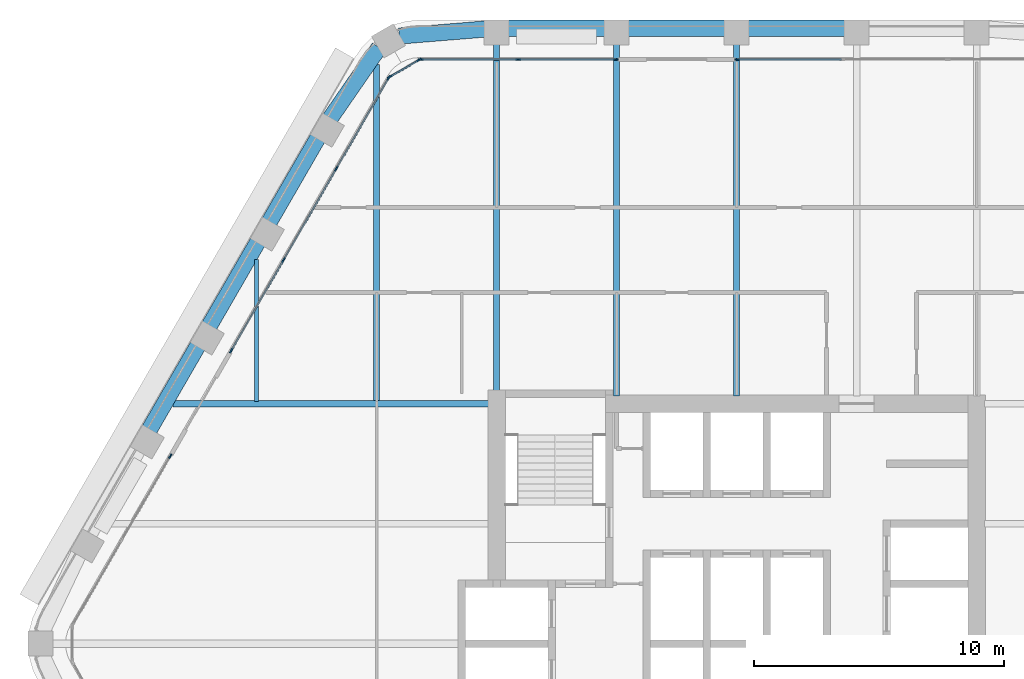
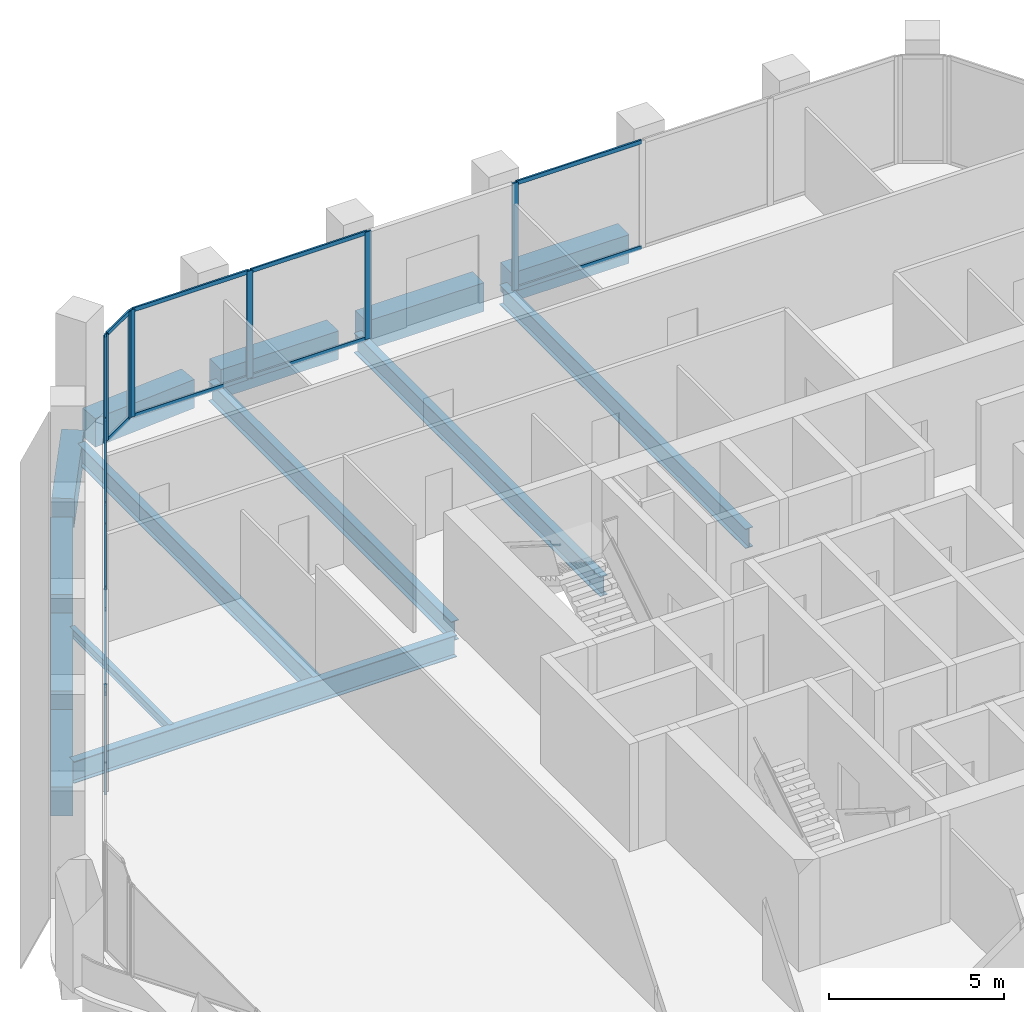
# One storey, part 5 of 15: 25 members, 14 beams, 5 elements without a shape of their own.
"""IFC4 building model written with IfcOpenShell, lengths in metres."""

from ifc_helpers import new_model, si_unit, direction, frame, origin, origin_2d, place, context, subcontext, project, spatial, rectangle, i_section, extrude, material, material_profile, profile_set, type_object, element, aggregate, save


model = new_model("IFC4")

# Units and contexts
model_context = context("Model", 3, precision=1e-05, world=origin(), true_north=direction((0.0, 1.0)))
body_context = subcontext(model_context, "Body", "Model", "MODEL_VIEW")
ifc_project = project(units=[si_unit("LENGTHUNIT", "METRE"), si_unit("AREAUNIT", "SQUARE_METRE"), si_unit("VOLUMEUNIT", "CUBIC_METRE"), si_unit("PLANEANGLEUNIT", "RADIAN"), si_unit("MASSUNIT", "GRAM", prefix="KILO")], contexts=[model_context])

# Site, building, storey
site_placement = place(None, origin())
site = spatial("IfcSite", under=ifc_project, at=site_placement, CompositionType="ELEMENT")
building_placement = place(site_placement, origin())
building = spatial("IfcBuilding", under=site, at=building_placement, Name="Kolab Exchange Tower", CompositionType="ELEMENT")
storey_placement = place(building_placement, frame((0.0, 0.0, 138.800048828125)))
storey = spatial("IfcBuildingStorey", under=building, at=storey_placement, Name="L27", CompositionType="ELEMENT", Elevation=138.800048828125)

# Beams
ifc_material_1 = material(Name="Steel S355", Category="steel")
ifc_material_profile_1 = material_profile(ifc_material_1, i_section(OverallWidth=0.1650390625, OverallDepth=0.31005859375, WebThickness=0.005859375, FlangeThickness=0.009765625, at=origin_2d()), Name="W310X39")
ifc_profile_set_1 = profile_set([ifc_material_profile_1], Name="Steel S355")
beam_type_1 = type_object("IfcBeamType", Name="FLOOR BEAM W310X39", PredefinedType="BEAM", material=ifc_profile_set_1)
beam_1_placement = place(storey_placement, frame((-19.199951171875, 9.693603515625, -0.304931640625), z_axis=(0.0, 1.0, 0.0), x_axis=(-1.0, 0.0, 0.0)))
element("IfcBeam", 1, at=beam_1_placement, inside=storey, type_object=beam_type_1, Name="beam/L27/fr/004", PredefinedType="BEAM", context=body_context, shape_type="SweptSolid", body=[
    extrude(i_section(OverallWidth=0.1650390625, OverallDepth=0.31005859375, WebThickness=0.005859375, FlangeThickness=0.009765625, at=origin_2d()), origin(), (0.0, 0.0, 1.0), 5.674072265625),
])
ifc_material_profile_2 = material_profile(ifc_material_1, i_section(OverallWidth=0.25390625, OverallDepth=0.68408203125, WebThickness=0.012451171875, FlangeThickness=0.018798828125, at=origin_2d()), Name="W690X140")
ifc_profile_set_2 = profile_set([ifc_material_profile_2], Name="Steel S355")
beam_type_2 = type_object("IfcBeamType", Name="FLOOR BEAM W690X140", PredefinedType="BEAM", material=ifc_profile_set_2)
beam_2_placement = place(storey_placement, frame((-14.39990234375, 9.693603515625, -0.491943359375), z_axis=(0.0, 1.0, 0.0), x_axis=(-1.0, 0.0, 0.0)))
element("IfcBeam", 2, at=beam_2_placement, inside=storey, type_object=beam_type_2, Name="beam/L27/fr/006", PredefinedType="BEAM", context=body_context, shape_type="SweptSolid", body=[
    extrude(i_section(OverallWidth=0.25390625, OverallDepth=0.68408203125, WebThickness=0.012451171875, FlangeThickness=0.018798828125, at=origin_2d()), origin(), (0.0, 0.0, 1.0), 13.462158203125),
])
beam_3_placement = place(storey_placement, frame((-9.60009765625, 10.110107421875, -0.491943359375), z_axis=(0.0, 1.0, 0.0), x_axis=(-1.0, 0.0, 0.0)))
element("IfcBeam", 3, at=beam_3_placement, inside=storey, type_object=beam_type_2, Name="beam/L27/fr/008", PredefinedType="BEAM", context=body_context, shape_type="SweptSolid", body=[
    extrude(i_section(OverallWidth=0.25390625, OverallDepth=0.68408203125, WebThickness=0.012451171875, FlangeThickness=0.018798828125, at=origin_2d()), origin(), (0.0, 0.0, 1.0), 13.871337890625),
])
for number, where, z_axis, x_axis, name in (
    (4, (-4.800048828125, 9.909912109375, -0.491943359375), (0.0, 1.0, 0.0), (-1.0, 0.0, 0.0), "beam/L27/fr/010"),
    (5, (0.0, 9.909912109375, -0.491943359375), (0.0, 1.0, 0.0), (-1.0, 0.0, 0.0), "beam/L27/fr/012"),
):
    element("IfcBeam", number, at=place(storey_placement, frame(where, z_axis=z_axis, x_axis=x_axis)), inside=storey, type_object=beam_type_2, Name=name, PredefinedType="BEAM", context=body_context, shape_type="SweptSolid", body=[
        extrude(i_section(OverallWidth=0.25390625, OverallDepth=0.68408203125, WebThickness=0.012451171875, FlangeThickness=0.018798828125, at=origin_2d()), origin(), (0.0, 0.0, 1.0), 14.071533203125),
    ])
ifc_material_profile_3 = material_profile(ifc_material_1, i_section(OverallWidth=0.26708984375, OverallDepth=0.761962890625, WebThickness=0.014404296875, FlangeThickness=0.021484375, at=origin_2d()), Name="W760X173")
ifc_profile_set_3 = profile_set([ifc_material_profile_3], Name="Steel S355")
beam_type_3 = type_object("IfcBeamType", Name="FLOOR GIRDER W760X173", PredefinedType="BEAM", material=ifc_profile_set_3)
beam_4_placement = place(storey_placement, frame((-22.546875, 9.60009765625, -0.531005859375), z_axis=(1.0, 0.0, 0.0), x_axis=(0.0, 1.0, 0.0)))
element("IfcBeam", 6, at=beam_4_placement, inside=storey, type_object=beam_type_3, Name="beam/L27/gd/001", PredefinedType="BEAM", context=body_context, shape_type="SweptSolid", body=[
    extrude(i_section(OverallWidth=0.26708984375, OverallDepth=0.761962890625, WebThickness=0.014404296875, FlangeThickness=0.021484375, at=origin_2d()), origin(), (0.0, 0.0, 1.0), 12.636962890625),
])
ifc_material_2 = material(Name="Concrete C60/75", Category="concrete")
ifc_material_profile_4 = material_profile(ifc_material_2, rectangle(XDim=0.64990234375, YDim=1.0, at=origin_2d()), Name="RC650X1000")
ifc_profile_set_4 = profile_set([ifc_material_profile_4], Name="Concrete C60/75")
beam_type_4 = type_object("IfcBeamType", Name="SPANDREL BEAM 650X1000 C60/75", PredefinedType="BEAM", material=ifc_profile_set_4)
beam_5_placement = place(storey_placement, frame((-13.493896484375, 24.2998046875, -0.650146484375), z_axis=(0.996708497182, 0.081068931445, 0.0), x_axis=(-0.081068931445, 0.996708497182, 0.0)))
element("IfcBeam", 7, at=beam_5_placement, inside=storey, type_object=beam_type_4, Name="beam/L27/sp/F1-01", PredefinedType="BEAM", context=body_context, shape_type="SweptSolid", body=[
    extrude(rectangle(XDim=0.64990234375, YDim=1.0, at=origin_2d()), origin(), (0.0, 0.0, 1.0), 3.445068359375),
])
beam_6_placement = place(storey_placement, frame((-9.139892578125, 24.616455078125, -0.650146484375), z_axis=(1.0, 0.0, 0.0), x_axis=(0.0, 1.0, 0.0)))
element("IfcBeam", 8, at=beam_6_placement, inside=storey, type_object=beam_type_4, Name="beam/L27/sp/F1-02", PredefinedType="BEAM", context=body_context, shape_type="SweptSolid", body=[
    extrude(rectangle(XDim=0.64990234375, YDim=1.0, at=origin_2d()), origin(), (0.0, 0.0, 1.0), 3.8798828125),
])
for number, where, z_axis, x_axis, name in (
    (9, (-4.340087890625, 24.616455078125, -0.650146484375), (1.0, 0.0, 0.0), (0.0, 1.0, 0.0), "beam/L27/sp/F1-03"),
    (10, (0.4599609375, 24.616455078125, -0.650146484375), (1.0, 0.0, 0.0), (0.0, 1.0, 0.0), "beam/L27/sp/F1-04"),
):
    element("IfcBeam", number, at=place(storey_placement, frame(where, z_axis=z_axis, x_axis=x_axis)), inside=storey, type_object=beam_type_4, Name=name, PredefinedType="BEAM", context=body_context, shape_type="SweptSolid", body=[
        extrude(rectangle(XDim=0.64990234375, YDim=1.0, at=origin_2d()), origin(), (0.0, 0.0, 1.0), 3.880126953125),
    ])
beam_7_placement = place(storey_placement, frame((-23.488525390625, 8.5498046875, -0.650146484375), z_axis=(0.499996613652, 0.866027358884, 0.0), x_axis=(-0.866027358884, 0.499996613652, 0.0)))
element("IfcBeam", 11, at=beam_7_placement, inside=storey, type_object=beam_type_4, Name="beam/L27/sp/F6-03", PredefinedType="BEAM", context=body_context, shape_type="SweptSolid", body=[
    extrude(rectangle(XDim=0.64990234375, YDim=1.0, at=origin_2d()), origin(), (0.0, 0.0, 1.0), 3.8798828125),
])
beam_8_placement = place(storey_placement, frame((-21.088623046875, 12.70654296875, -0.650146484375), z_axis=(0.50001655835, 0.866015843605, 0.0), x_axis=(-0.866015843605, 0.50001655835, 0.0)))
element("IfcBeam", 12, at=beam_8_placement, inside=storey, type_object=beam_type_4, Name="beam/L27/sp/F6-04", PredefinedType="BEAM", context=body_context, shape_type="SweptSolid", body=[
    extrude(rectangle(XDim=0.64990234375, YDim=1.0, at=origin_2d()), origin(), (0.0, 0.0, 1.0), 3.880126953125),
])
beam_9_placement = place(storey_placement, frame((-18.6884765625, 16.863525390625, -0.650146484375), z_axis=(0.499996613652, 0.866027358884, 0.0), x_axis=(-0.866027358884, 0.499996613652, 0.0)))
element("IfcBeam", 13, at=beam_9_placement, inside=storey, type_object=beam_type_4, Name="beam/L27/sp/F6-05", PredefinedType="BEAM", context=body_context, shape_type="SweptSolid", body=[
    extrude(rectangle(XDim=0.64990234375, YDim=1.0, at=origin_2d()), origin(), (0.0, 0.0, 1.0), 3.8798828125),
])
beam_10_placement = place(storey_placement, frame((-16.256103515625, 21.001953125, -0.650146484375), z_axis=(0.568572281073, 0.822633309073, 0.0), x_axis=(-0.822633309073, 0.568572281073, 0.0)))
element("IfcBeam", 14, at=beam_10_placement, inside=storey, type_object=beam_type_4, Name="beam/L27/sp/F6-06", PredefinedType="BEAM", context=body_context, shape_type="SweptSolid", body=[
    extrude(rectangle(XDim=0.64990234375, YDim=1.0, at=origin_2d()), origin(), (0.0, 0.0, 1.0), 3.445068359375),
])

# Curtain wall, members
ifc_material_3 = material(Name="Aluminium EN AW-6063 T6", Category="aluminium")
curtain_wall_type = type_object("IfcCurtainWallType", Name="UNITISED UPPER MID ZONE CURTAIN WALL", PredefinedType="NOTDEFINED", material=ifc_material_3)
curtain_wall_1_placement = place(storey_placement, origin())
curtain_wall_1 = element("IfcCurtainWall", 15, at=curtain_wall_1_placement, inside=storey, type_object=curtain_wall_type, Name="cw/L27/F1-1", PredefinedType="NOTDEFINED")
ifc_material_profile_5 = material_profile(ifc_material_3, rectangle(XDim=0.06005859375, YDim=0.199951171875, at=origin_2d()), Name="RECT 60X200")
ifc_profile_set_5 = profile_set([ifc_material_profile_5], Name="Aluminium EN AW-6063 T6")
member_type_1 = type_object("IfcMemberType", Name="UNITISED UPPER MID ZONE MULLION 60 X 200", PredefinedType="MULLION", material=ifc_profile_set_5)
member_1_placement = place(storey_placement, frame((-12.637939453125, 23.361572265625, 0.0), z_axis=(0.0, 0.0, 1.0), x_axis=(0.0, 1.0, 0.0)))
member_1 = element("IfcMember", 16, at=member_1_placement, type_object=member_type_1, Name="CW3 mullion 1", PredefinedType="MULLION", context=body_context, shape_type="SweptSolid", body=[
    extrude(rectangle(XDim=0.06005859375, YDim=0.199951171875, at=origin_2d()), origin(), (0.0, 0.0, 1.0), 3.75),
])
member_2_placement = place(storey_placement, frame((-8.73388671875, 23.361572265625, 0.0), z_axis=(0.0, 0.0, 1.0), x_axis=(0.0, 1.0, 0.0)))
member_2 = element("IfcMember", 17, at=member_2_placement, type_object=member_type_1, Name="CW3 mullion 2", PredefinedType="MULLION", context=body_context, shape_type="SweptSolid", body=[
    extrude(rectangle(XDim=0.06005859375, YDim=0.199951171875, at=origin_2d()), origin(), (0.0, 0.0, 1.0), 3.75),
])
member_3_placement = place(storey_placement, frame((-4.830078125, 23.361572265625, 0.0), z_axis=(0.0, 0.0, 1.0), x_axis=(0.0, 1.0, 0.0)))
member_3 = element("IfcMember", 18, at=member_3_placement, type_object=member_type_1, Name="CW3 mullion 3", PredefinedType="MULLION", context=body_context, shape_type="SweptSolid", body=[
    extrude(rectangle(XDim=0.06005859375, YDim=0.199951171875, at=origin_2d()), origin(), (0.0, 0.0, 1.0), 3.75),
])

# Curtain wall, member
curtain_wall_2_placement = place(storey_placement, origin())
curtain_wall_2 = element("IfcCurtainWall", 19, at=curtain_wall_2_placement, inside=storey, type_object=curtain_wall_type, Name="cw/L27/F1-2", PredefinedType="NOTDEFINED")
member_4_placement = place(storey_placement, frame((0.030029296875, 23.361572265625, 0.0), z_axis=(0.0, 0.0, 1.0), x_axis=(0.0, 1.0, 0.0)))
member_4 = element("IfcMember", 20, at=member_4_placement, type_object=member_type_1, Name="CW3 mullion 1", PredefinedType="MULLION", context=body_context, shape_type="SweptSolid", body=[
    extrude(rectangle(XDim=0.06005859375, YDim=0.199951171875, at=origin_2d()), origin(), (0.0, 0.0, 1.0), 3.75),
])

curtain_wall_3_placement = place(storey_placement, origin())
curtain_wall_3 = element("IfcCurtainWall", 21, at=curtain_wall_3_placement, inside=storey, type_object=curtain_wall_type, Name="cw/L27/F6-1", PredefinedType="NOTDEFINED")
member_5_placement = place(storey_placement, frame((-22.646728515625, 7.497802734375, 0.0), z_axis=(0.0, 0.0, 1.0), x_axis=(-0.866025440524, 0.499999936366, 0.0)))
member_5 = element("IfcMember", 22, at=member_5_placement, type_object=member_type_1, Name="CW3 mullion 3", PredefinedType="MULLION", context=body_context, shape_type="SweptSolid", body=[
    extrude(rectangle(XDim=0.06005859375, YDim=0.199951171875, at=origin_2d()), origin(), (0.0, 0.0, 1.0), 3.75),
])
aggregate(curtain_wall_3, [member_5])

# Curtain wall, members
curtain_wall_4_placement = place(storey_placement, origin())
curtain_wall_4 = element("IfcCurtainWall", 23, at=curtain_wall_4_placement, inside=storey, type_object=curtain_wall_type, Name="cw/L27/F6-2", PredefinedType="NOTDEFINED")
member_6_placement = place(storey_placement, frame((-20.216796875, 11.706787109375, 0.0), z_axis=(0.0, 0.0, 1.0), x_axis=(-0.866025393644, 0.500000017564, 0.0)))
member_6 = element("IfcMember", 24, at=member_6_placement, type_object=member_type_1, Name="CW3 mullion 1", PredefinedType="MULLION", context=body_context, shape_type="SweptSolid", body=[
    extrude(rectangle(XDim=0.06005859375, YDim=0.199951171875, at=origin_2d()), origin(), (0.0, 0.0, 1.0), 3.75),
])
member_7_placement = place(storey_placement, frame((-18.120361328125, 15.337646484375, 0.0), z_axis=(0.0, 0.0, 1.0), x_axis=(-0.866025393644, 0.500000017564, 0.0)))
member_7 = element("IfcMember", 25, at=member_7_placement, type_object=member_type_1, Name="CW3 mullion 2", PredefinedType="MULLION", context=body_context, shape_type="SweptSolid", body=[
    extrude(rectangle(XDim=0.06005859375, YDim=0.199951171875, at=origin_2d()), origin(), (0.0, 0.0, 1.0), 3.75),
])
member_8_placement = place(storey_placement, frame((-16.009033203125, 18.99462890625, 0.0), z_axis=(0.0, 0.0, 1.0), x_axis=(-0.866025393644, 0.500000017564, 0.0)))
member_8 = element("IfcMember", 26, at=member_8_placement, type_object=member_type_1, Name="CW3 mullion 3", PredefinedType="MULLION", context=body_context, shape_type="SweptSolid", body=[
    extrude(rectangle(XDim=0.06005859375, YDim=0.199951171875, at=origin_2d()), origin(), (0.0, 0.0, 1.0), 3.75),
])
member_9_placement = place(storey_placement, frame((-13.91259765625, 22.62548828125, 0.0), z_axis=(0.0, 0.0, 1.0), x_axis=(-0.866025393644, 0.500000017564, 0.0)))
member_9 = element("IfcMember", 27, at=member_9_placement, type_object=member_type_1, Name="CW3 mullion 4", PredefinedType="MULLION", context=body_context, shape_type="SweptSolid", body=[
    extrude(rectangle(XDim=0.06005859375, YDim=0.199951171875, at=origin_2d()), origin(), (0.0, 0.0, 1.0), 3.75),
])

curtain_wall_5_placement = place(storey_placement, origin())
curtain_wall_5 = element("IfcCurtainWall", 28, at=curtain_wall_5_placement, inside=storey, type_object=curtain_wall_type, Name="cw/L27/F6F1-corner", PredefinedType="NOTDEFINED")
member_10_placement = place(storey_placement, frame((-13.871826171875, 22.66650390625, 0.0), z_axis=(0.0, 0.0, 1.0), x_axis=(-0.50000002237, 0.866025390869, 0.0)))
member_10 = element("IfcMember", 29, at=member_10_placement, type_object=member_type_1, Name="CW3 mullion 1", PredefinedType="MULLION", context=body_context, shape_type="SweptSolid", body=[
    extrude(rectangle(XDim=0.06005859375, YDim=0.199951171875, at=origin_2d()), origin(), (0.0, 0.0, 1.0), 3.75),
])
member_11_placement = place(storey_placement, frame((-12.69384765625, 23.346435546875, 0.0), z_axis=(0.0, 0.0, 1.0), x_axis=(-0.50000002237, 0.866025390869, 0.0)))
member_11 = element("IfcMember", 30, at=member_11_placement, type_object=member_type_1, Name="CW3 mullion 2", PredefinedType="MULLION", context=body_context, shape_type="SweptSolid", body=[
    extrude(rectangle(XDim=0.06005859375, YDim=0.199951171875, at=origin_2d()), origin(), (0.0, 0.0, 1.0), 3.75),
])

# Member
ifc_material_profile_6 = material_profile(ifc_material_3, rectangle(XDim=0.06005859375, YDim=0.139892578125, at=origin_2d()), Name="RECT 60X140")
ifc_profile_set_6 = profile_set([ifc_material_profile_6], Name="Aluminium EN AW-6063 T6")
member_type_2 = type_object("IfcMemberType", Name="UNITISED UPPER MID ZONE TRANSOM 60 X 140", PredefinedType="USERDEFINED", material=ifc_profile_set_6)
member_12_placement = place(storey_placement, frame((-12.60791015625, 23.361572265625, 0.030029296875), z_axis=(1.0, 0.0, 0.0), x_axis=(0.0, 1.0, 0.0)))
member_12 = element("IfcMember", 31, at=member_12_placement, type_object=member_type_2, Name="CW3 transom 1.1", ObjectType="TRANSOM", PredefinedType="USERDEFINED", context=body_context, shape_type="SweptSolid", body=[
    extrude(rectangle(XDim=0.06005859375, YDim=0.139892578125, at=origin_2d()), origin(), (0.0, 0.0, 1.0), 3.843994140625),
])

member_13_placement = place(storey_placement, frame((-12.60791015625, 23.361572265625, 3.719970703125), z_axis=(1.0, 0.0, 0.0), x_axis=(0.0, 1.0, 0.0)))
member_13 = element("IfcMember", 32, at=member_13_placement, type_object=member_type_2, Name="CW3 transom 1.2", ObjectType="TRANSOM", PredefinedType="USERDEFINED", context=body_context, shape_type="SweptSolid", body=[
    extrude(rectangle(XDim=0.06005859375, YDim=0.139892578125, at=origin_2d()), origin(), (0.0, 0.0, 1.0), 3.843994140625),
])

member_14_placement = place(storey_placement, frame((-8.703857421875, 23.361572265625, 0.030029296875), z_axis=(1.0, 0.0, 0.0), x_axis=(0.0, 1.0, 0.0)))
member_14 = element("IfcMember", 33, at=member_14_placement, type_object=member_type_2, Name="CW3 transom 2.1", ObjectType="TRANSOM", PredefinedType="USERDEFINED", context=body_context, shape_type="SweptSolid", body=[
    extrude(rectangle(XDim=0.06005859375, YDim=0.139892578125, at=origin_2d()), origin(), (0.0, 0.0, 1.0), 3.84375),
])

member_15_placement = place(storey_placement, frame((-8.703857421875, 23.361572265625, 3.719970703125), z_axis=(1.0, 0.0, 0.0), x_axis=(0.0, 1.0, 0.0)))
member_15 = element("IfcMember", 34, at=member_15_placement, type_object=member_type_2, Name="CW3 transom 2.2", ObjectType="TRANSOM", PredefinedType="USERDEFINED", context=body_context, shape_type="SweptSolid", body=[
    extrude(rectangle(XDim=0.06005859375, YDim=0.139892578125, at=origin_2d()), origin(), (0.0, 0.0, 1.0), 3.84375),
])

aggregate(curtain_wall_1, [member_1, member_2, member_3, member_12, member_13, member_14, member_15])

member_16_placement = place(storey_placement, frame((0.06005859375, 23.361572265625, 0.030029296875), z_axis=(1.0, 0.0, 0.0), x_axis=(0.0, 1.0, 0.0)))
member_16 = element("IfcMember", 35, at=member_16_placement, type_object=member_type_2, Name="CW3 transom 1.1", ObjectType="TRANSOM", PredefinedType="USERDEFINED", context=body_context, shape_type="SweptSolid", body=[
    extrude(rectangle(XDim=0.06005859375, YDim=0.139892578125, at=origin_2d()), origin(), (0.0, 0.0, 1.0), 4.132568359375),
])

member_17_placement = place(storey_placement, frame((0.06005859375, 23.361572265625, 3.719970703125), z_axis=(1.0, 0.0, 0.0), x_axis=(0.0, 1.0, 0.0)))
member_17 = element("IfcMember", 36, at=member_17_placement, type_object=member_type_2, Name="CW3 transom 1.2", ObjectType="TRANSOM", PredefinedType="USERDEFINED", context=body_context, shape_type="SweptSolid", body=[
    extrude(rectangle(XDim=0.06005859375, YDim=0.139892578125, at=origin_2d()), origin(), (0.0, 0.0, 1.0), 4.132568359375),
])

aggregate(curtain_wall_2, [member_4, member_16, member_17])

member_18_placement = place(storey_placement, frame((-20.20166015625, 11.732666015625, 0.030029296875), z_axis=(0.500001996123, 0.866024251319, 0.0), x_axis=(-0.866024251319, 0.500001996123, 0.0)))
member_18 = element("IfcMember", 37, at=member_18_placement, type_object=member_type_2, Name="CW3 transom 1.1", ObjectType="TRANSOM", PredefinedType="USERDEFINED", context=body_context, shape_type="SweptSolid", body=[
    extrude(rectangle(XDim=0.06005859375, YDim=0.139892578125, at=origin_2d()), origin(), (0.0, 0.0, 1.0), 4.1328125),
])

member_19_placement = place(storey_placement, frame((-20.20166015625, 11.732666015625, 3.719970703125), z_axis=(0.500001996123, 0.866024251319, 0.0), x_axis=(-0.866024251319, 0.500001996123, 0.0)))
member_19 = element("IfcMember", 38, at=member_19_placement, type_object=member_type_2, Name="CW3 transom 1.2", ObjectType="TRANSOM", PredefinedType="USERDEFINED", context=body_context, shape_type="SweptSolid", body=[
    extrude(rectangle(XDim=0.06005859375, YDim=0.139892578125, at=origin_2d()), origin(), (0.0, 0.0, 1.0), 4.1328125),
])

member_20_placement = place(storey_placement, frame((-18.10546875, 15.36376953125, 0.030029296875), z_axis=(0.500037208726, 0.86600392025, 0.0), x_axis=(-0.86600392025, 0.500037208726, 0.0)))
member_20 = element("IfcMember", 39, at=member_20_placement, type_object=member_type_2, Name="CW3 transom 2.1", ObjectType="TRANSOM", PredefinedType="USERDEFINED", context=body_context, shape_type="SweptSolid", body=[
    extrude(rectangle(XDim=0.06005859375, YDim=0.139892578125, at=origin_2d()), origin(), (0.0, 0.0, 1.0), 4.162841796875),
])

member_21_placement = place(storey_placement, frame((-18.10546875, 15.36376953125, 3.719970703125), z_axis=(0.500037208726, 0.86600392025, 0.0), x_axis=(-0.86600392025, 0.500037208726, 0.0)))
member_21 = element("IfcMember", 40, at=member_21_placement, type_object=member_type_2, Name="CW3 transom 2.2", ObjectType="TRANSOM", PredefinedType="USERDEFINED", context=body_context, shape_type="SweptSolid", body=[
    extrude(rectangle(XDim=0.06005859375, YDim=0.139892578125, at=origin_2d()), origin(), (0.0, 0.0, 1.0), 4.162841796875),
])

member_22_placement = place(storey_placement, frame((-15.994140625, 19.0205078125, 0.030029296875), z_axis=(0.500001996123, 0.866024251319, 0.0), x_axis=(-0.866024251319, 0.500001996123, 0.0)))
member_22 = element("IfcMember", 41, at=member_22_placement, type_object=member_type_2, Name="CW3 transom 3.1", ObjectType="TRANSOM", PredefinedType="USERDEFINED", context=body_context, shape_type="SweptSolid", body=[
    extrude(rectangle(XDim=0.06005859375, YDim=0.139892578125, at=origin_2d()), origin(), (0.0, 0.0, 1.0), 4.1328125),
])

member_23_placement = place(storey_placement, frame((-15.994140625, 19.0205078125, 3.719970703125), z_axis=(0.500001996123, 0.866024251319, 0.0), x_axis=(-0.866024251319, 0.500001996123, 0.0)))
member_23 = element("IfcMember", 42, at=member_23_placement, type_object=member_type_2, Name="CW3 transom 3.2", ObjectType="TRANSOM", PredefinedType="USERDEFINED", context=body_context, shape_type="SweptSolid", body=[
    extrude(rectangle(XDim=0.06005859375, YDim=0.139892578125, at=origin_2d()), origin(), (0.0, 0.0, 1.0), 4.1328125),
])

aggregate(curtain_wall_4, [member_6, member_7, member_8, member_9, member_18, member_19, member_20, member_21, member_22, member_23])

member_24_placement = place(storey_placement, frame((-13.845703125, 22.681640625, 0.030029296875), z_axis=(0.86603858612, 0.49997716683, 0.0), x_axis=(-0.49997716683, 0.86603858612, 0.0)))
member_24 = element("IfcMember", 43, at=member_24_placement, type_object=member_type_2, Name="CW3 transom 1.1", ObjectType="TRANSOM", PredefinedType="USERDEFINED", context=body_context, shape_type="SweptSolid", body=[
    extrude(rectangle(XDim=0.06005859375, YDim=0.139892578125, at=origin_2d()), origin(), (0.0, 0.0, 1.0), 1.2998046875),
])

member_25_placement = place(storey_placement, frame((-13.845703125, 22.681640625, 3.719970703125), z_axis=(0.86603858612, 0.49997716683, 0.0), x_axis=(-0.49997716683, 0.86603858612, 0.0)))
member_25 = element("IfcMember", 44, at=member_25_placement, type_object=member_type_2, Name="CW3 transom 1.2", ObjectType="TRANSOM", PredefinedType="USERDEFINED", context=body_context, shape_type="SweptSolid", body=[
    extrude(rectangle(XDim=0.06005859375, YDim=0.139892578125, at=origin_2d()), origin(), (0.0, 0.0, 1.0), 1.2998046875),
])

aggregate(curtain_wall_5, [member_10, member_11, member_24, member_25])

save(model, "model.ifc")
